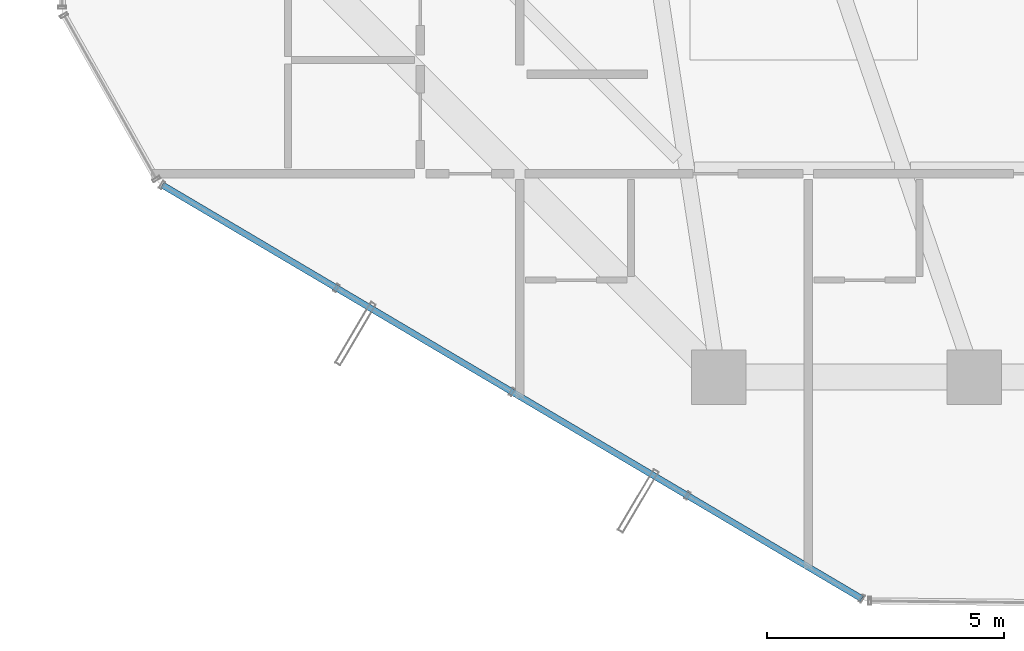
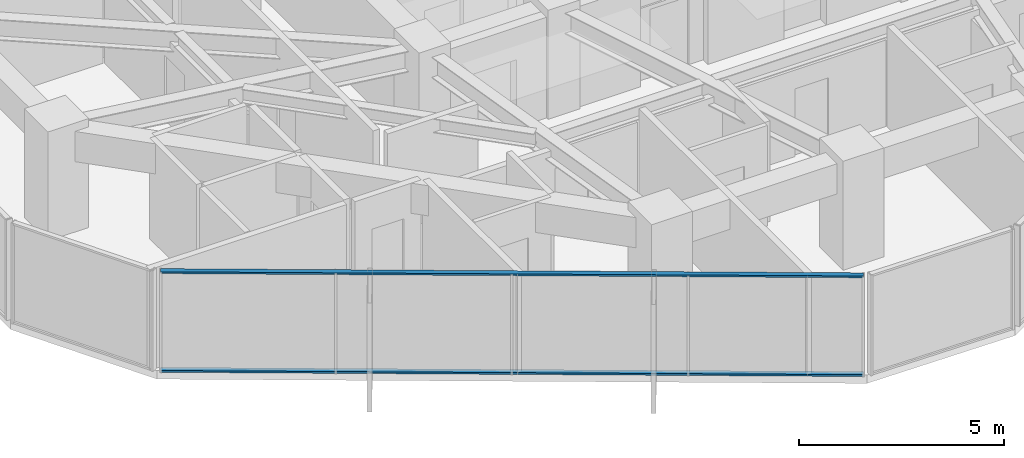
# One storey, part 3 of 30: 2 members, 1 element without a shape of its own.
"""IFC4 building model written with IfcOpenShell, lengths in metres."""

from ifc_helpers import new_model, si_unit, direction, frame, origin, origin_2d, place, context, subcontext, project, spatial, hollow_rectangle, extrude, source, transform, mapped, material, layer, layer_set, material_profile, profile_set, type_object, element, aggregate, save


model = new_model("IFC4")

# Units and contexts
model_context = context("Model", 3, precision=1e-05, world=origin(), true_north=direction((0.0, 1.0)))
body_context = subcontext(model_context, "Body", "Model", "MODEL_VIEW")
ifc_project = project(units=[si_unit("LENGTHUNIT", "METRE"), si_unit("AREAUNIT", "SQUARE_METRE"), si_unit("VOLUMEUNIT", "CUBIC_METRE"), si_unit("PLANEANGLEUNIT", "RADIAN"), si_unit("MASSUNIT", "GRAM", prefix="KILO")], contexts=[model_context])

# Site, building, storey
site_placement = place(None, origin())
site = spatial("IfcSite", under=ifc_project, at=site_placement, CompositionType="ELEMENT")
building_placement = place(site_placement, origin())
building = spatial("IfcBuilding", under=site, at=building_placement, Name="Veraguas Prism Commons", CompositionType="ELEMENT")
storey_placement = place(building_placement, frame((0.0, 0.0, 126.25)))
storey = spatial("IfcBuildingStorey", under=building, at=storey_placement, Name="L35", CompositionType="ELEMENT", Elevation=126.25)

# Curtain wall, members
ifc_material = material(Name="Anodised aluminium EN AW-6063 T6", Category="aluminium")
ifc_layer = layer(ifc_material, 0.169921875, Name="Unitised Flush Curtain Wall Zone 2", Category="aluminium")
ifc_layer_set = layer_set([ifc_layer], Name="Anodised aluminium EN AW-6063 T6")
curtain_wall_type = type_object("IfcCurtainWallType", Name="Unitised Flush Curtain Wall Zone 2", PredefinedType="NOTDEFINED", material=ifc_layer_set)
curtain_wall_placement = place(storey_placement, origin())
curtain_wall = element("IfcCurtainWall", 1, at=curtain_wall_placement, inside=storey, type_object=curtain_wall_type, Name="Tower Facade Curtain Wall L35-F4", PredefinedType="NOTDEFINED")
ifc_material_profile = material_profile(ifc_material, hollow_rectangle(XDim=0.054931640625, YDim=0.135009765625, WallThickness=0.0029296875, at=origin_2d()), Name="AL55X135X3")
ifc_profile_set = profile_set([ifc_material_profile], Name="Anodised aluminium EN AW-6063 T6")
member_type = type_object("IfcMemberType", Name="Curtain Wall Transom Standard AL 55x135x3", PredefinedType="USERDEFINED", material=ifc_profile_set)
shared_shape = source(origin(), body_context, "Body", "SweptSolid", [
    extrude(hollow_rectangle(XDim=0.054931640625, YDim=0.135009765625, WallThickness=0.0029296875, at=origin_2d()), origin(), (0.0, 0.0, 1.0), 17.17431640625),
])
member_1_placement = place(storey_placement, frame((6.843994140625, 11.860107421875, 0.027587890625), z_axis=(0.860743086956, -0.509039623465, 0.0), x_axis=(0.0, 0.0, 1.0)))
member_1 = element("IfcMember", 2, at=member_1_placement, type_object=member_type, Name="CW-Z2 Transom 1", ObjectType="TRANSOM", PredefinedType="USERDEFINED", context=body_context, shape_type="MappedRepresentation", body=[
    mapped(shared_shape, transform((0.0, 0.0, 0.0), scale=1.0)),
])
member_2_placement = place(storey_placement, frame((6.843994140625, 11.860107421875, 2.972412109375), z_axis=(0.860743086956, -0.509039623465, 0.0), x_axis=(0.0, 0.0, 1.0)))
member_2 = element("IfcMember", 3, at=member_2_placement, type_object=member_type, Name="CW-Z2 Transom 2", ObjectType="TRANSOM", PredefinedType="USERDEFINED", context=body_context, shape_type="MappedRepresentation", body=[
    mapped(shared_shape, transform((0.0, 0.0, 0.0), scale=1.0)),
])
aggregate(curtain_wall, [member_1, member_2])

save(model, "model.ifc")
